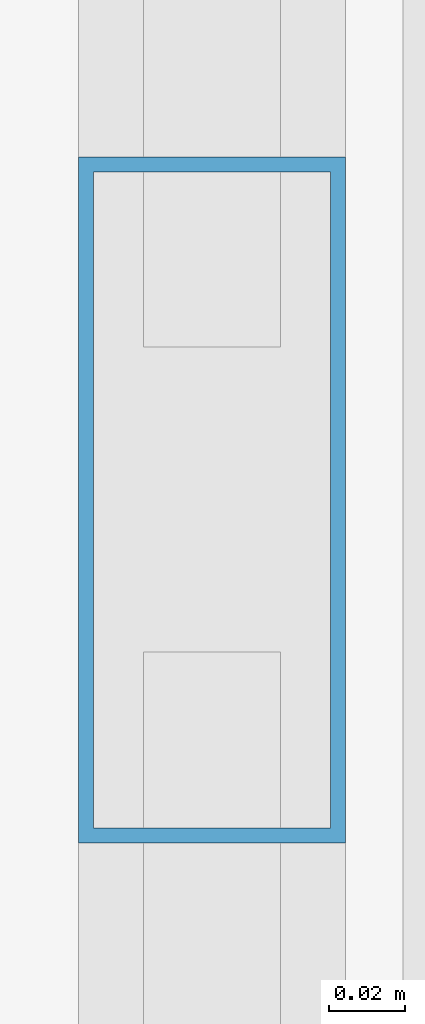
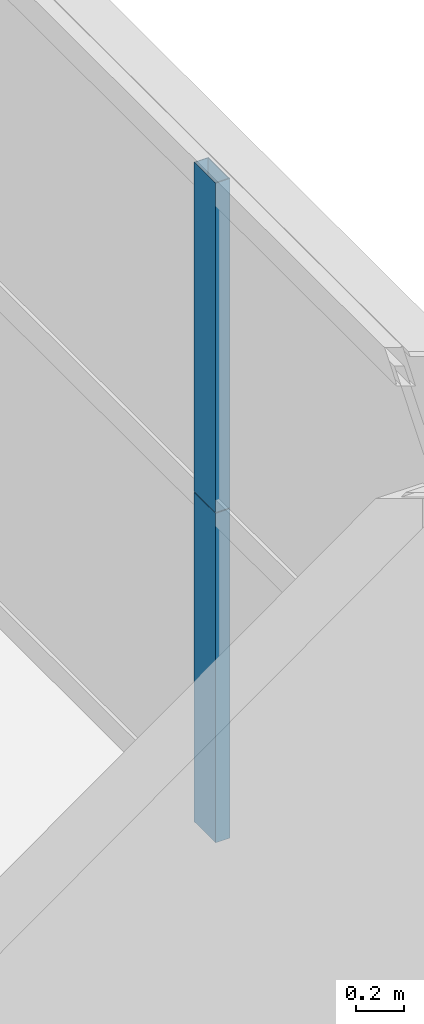
# One storey, part 32 of 43: 2 members, 1 element without a shape of its own.
"""IFC4 building model written with IfcOpenShell, lengths in metres."""

from ifc_helpers import new_model, si_unit, direction, frame, origin, origin_2d, place, context, subcontext, project, spatial, hollow_rectangle, extrude, source, transform, mapped, material, layer, layer_set, material_profile, profile_set, type_object, element, aggregate, save


model = new_model("IFC4")

# Units and contexts
model_context = context("Model", 3, precision=1e-05, world=origin(), true_north=direction((0.0, 1.0)))
body_context = subcontext(model_context, "Body", "Model", "MODEL_VIEW")
ifc_project = project(units=[si_unit("LENGTHUNIT", "METRE"), si_unit("AREAUNIT", "SQUARE_METRE"), si_unit("VOLUMEUNIT", "CUBIC_METRE"), si_unit("PLANEANGLEUNIT", "RADIAN"), si_unit("MASSUNIT", "GRAM", prefix="KILO"), si_unit("THERMODYNAMICTEMPERATUREUNIT", "KELVIN"), si_unit("POWERUNIT", "WATT")], contexts=[model_context])

# Site, building, storey
site_placement = place(None, origin())
site = spatial("IfcSite", under=ifc_project, at=site_placement, CompositionType="ELEMENT")
building_placement = place(site_placement, origin())
building = spatial("IfcBuilding", under=site, at=building_placement, Name="Yuzanri Waterfront Tower", CompositionType="ELEMENT")
storey_placement = place(building_placement, frame((0.0, 0.0, 108.199951171875)))
storey = spatial("IfcBuildingStorey", under=building, at=storey_placement, Name="L28", CompositionType="ELEMENT", Elevation=108.199951171875)

# Curtain wall, members
ifc_material_1 = material(Name="Anodized Architectural Bronze", Category="metal")
ifc_layer = layer(ifc_material_1, 0.159912109375)
ifc_layer_set = layer_set([ifc_layer], Name="Anodized Architectural Bronze")
curtain_wall_type = type_object("IfcCurtainWallType", Name="Anodized Bronze Hotel Upper-Tier Solar-Control Unitized Curtain Wall 7800", PredefinedType="NOTDEFINED", material=ifc_layer_set)
curtain_wall_placement = place(storey_placement, origin())
curtain_wall = element("IfcCurtainWall", 1, at=curtain_wall_placement, inside=storey, type_object=curtain_wall_type, Name="L28 Curtain Wall CW-L28-ER", PredefinedType="NOTDEFINED")
ifc_material_2 = material(Name="Anodized Architectural Bronze", Category="metal")
ifc_material_profile = material_profile(ifc_material_2, hollow_rectangle(XDim=0.070068359375, YDim=0.179931640625, WallThickness=0.00390625, at=origin_2d()), Name="CWM 70x180")
ifc_profile_set = profile_set([ifc_material_profile], Name="Anodized Architectural Bronze")
member_type = type_object("IfcMemberType", Name="Anodized Bronze Standard Curtain-Wall Mullion 70x180", PredefinedType="MULLION", material=ifc_profile_set)
shared_shape = source(origin(), body_context, "Body", "SweptSolid", [
    extrude(hollow_rectangle(XDim=0.070068359375, YDim=0.179931640625, WallThickness=0.00390625, at=origin_2d()), origin(), (0.0, 0.0, 1.0), 1.68798828125),
])
member_1_placement = place(storey_placement, frame((60.449951171875, 34.14990234375, 0.0), z_axis=(0.0, 0.0, 1.0), x_axis=(1.0, 0.0, 0.0)))
member_1 = element("IfcMember", 2, at=member_1_placement, type_object=member_type, Name="CW-L28-ER Lower Mullion 01", PredefinedType="MULLION", context=body_context, shape_type="MappedRepresentation", body=[
    mapped(shared_shape, transform((0.0, 0.0, 0.0), scale=1.0)),
])
member_2_placement = place(storey_placement, frame((60.449951171875, 34.14990234375, 1.692138671875), z_axis=(0.0, 0.0, 1.0), x_axis=(1.0, 0.0, 0.0)))
member_2 = element("IfcMember", 3, at=member_2_placement, type_object=member_type, Name="CW-L28-ER Upper Mullion 01", PredefinedType="MULLION", context=body_context, shape_type="MappedRepresentation", body=[
    mapped(shared_shape, transform((0.0, 0.0, 0.0), scale=1.0)),
])
aggregate(curtain_wall, [member_1, member_2])

save(model, "model.ifc")
